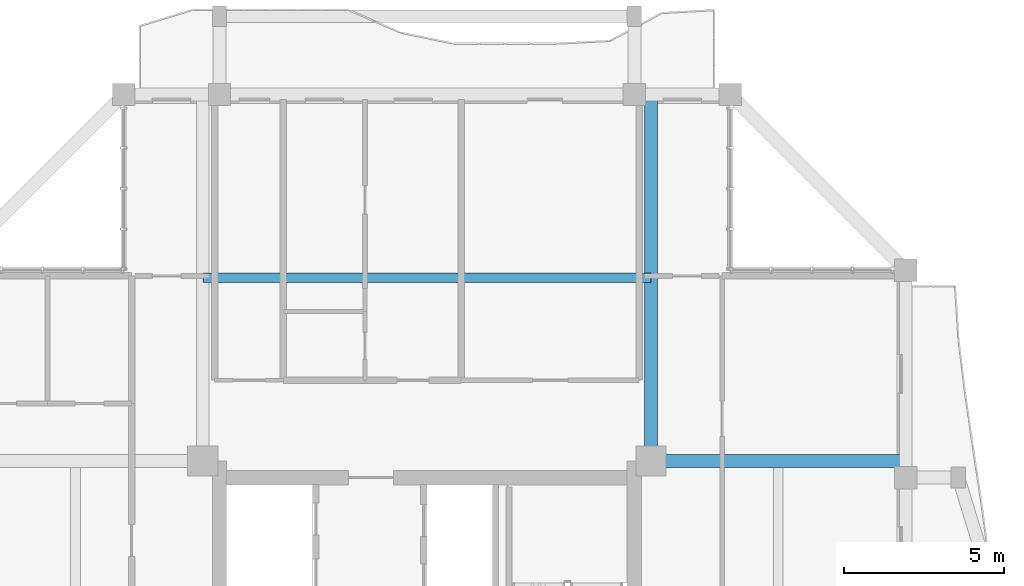
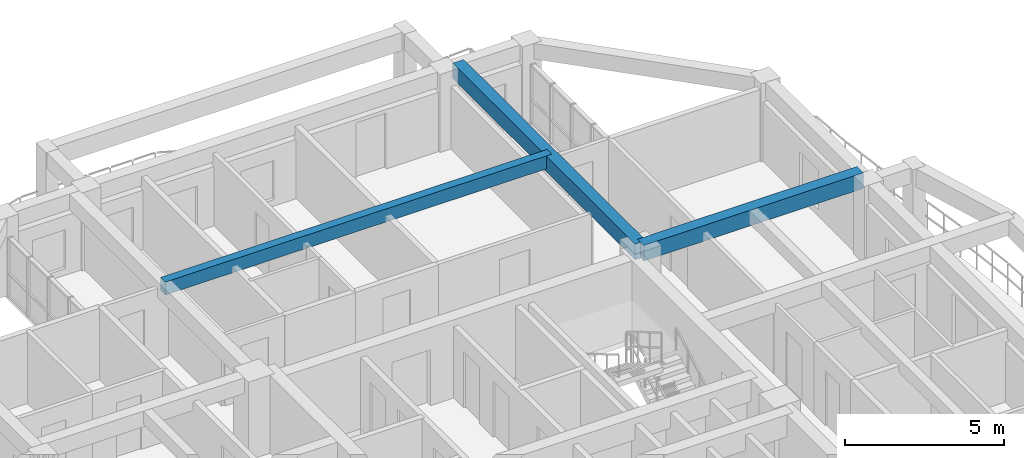
# One storey, part 9 of 24: 3 beams.
"""IFC4 building model written with IfcOpenShell, lengths in metres."""

from ifc_helpers import new_model, si_unit, direction, frame, origin, origin_2d, place, context, subcontext, project, spatial, rectangle, extrude, source, transform, mapped, material, material_profile, profile_set, type_object, element, save


model = new_model("IFC4")

# Units and contexts
model_context = context("Model", 3, precision=1e-05, world=origin(), true_north=direction((0.0, 1.0)))
body_context = subcontext(model_context, "Body", "Model", "MODEL_VIEW")
ifc_project = project(units=[si_unit("LENGTHUNIT", "METRE"), si_unit("AREAUNIT", "SQUARE_METRE"), si_unit("VOLUMEUNIT", "CUBIC_METRE"), si_unit("PLANEANGLEUNIT", "RADIAN"), si_unit("MASSUNIT", "GRAM", prefix="KILO")], contexts=[model_context])

# Site, building, storey
site_placement = place(None, origin())
site = spatial("IfcSite", under=ifc_project, at=site_placement, CompositionType="ELEMENT")
building_placement = place(site_placement, origin())
building = spatial("IfcBuilding", under=site, at=building_placement, Name="Saelheon Loggia Tower", CompositionType="ELEMENT")
storey_placement = place(building_placement, frame((0.0, 0.0, 246.0)))
storey = spatial("IfcBuildingStorey", under=building, at=storey_placement, Name="L76", CompositionType="ELEMENT", Elevation=246.0)

# Beams
ifc_material = material(Name="Concrete C40/50", Category="concrete")
ifc_material_profile_1 = material_profile(ifc_material, rectangle(XDim=0.300048828125, YDim=0.5, at=origin_2d()), Name="RC-300x500")
ifc_profile_set_1 = profile_set([ifc_material_profile_1], Name="Concrete C40/50")
beam_type_1 = type_object("IfcBeamType", Name="Beam_Joist_RC300x500", PredefinedType="JOIST", material=ifc_profile_set_1)
shared_shape_1 = source(origin(), body_context, "Body", "SweptSolid", [
    extrude(rectangle(XDim=0.300048828125, YDim=0.5, at=origin_2d()), origin(), (0.0, 0.0, 1.0), 14.0400390625),
])
beam_1_placement = place(storey_placement, frame((30.97998046875, 42.260009765625, 2.75), z_axis=(1.0, 0.0, 0.0), x_axis=(0.0, 1.0, 0.0)))
element("IfcBeam", 1, at=beam_1_placement, inside=storey, type_object=beam_type_1, Name="L76 North Floor Joist", PredefinedType="JOIST", context=body_context, shape_type="MappedRepresentation", body=[
    mapped(shared_shape_1, transform((0.0, 0.0, 0.0), scale=1.0)),
])
ifc_material_profile_2 = material_profile(ifc_material, rectangle(XDim=0.39990234375, YDim=0.60009765625, at=origin_2d()), Name="RC-400x600")
ifc_profile_set_2 = profile_set([ifc_material_profile_2], Name="Concrete C40/50")
beam_type_2 = type_object("IfcBeamType", Name="Beam_UpperGirder_RC400x600", PredefinedType="BEAM", material=ifc_profile_set_2)
shared_shape_2 = source(origin(), body_context, "Body", "SweptSolid", [
    extrude(rectangle(XDim=0.39990234375, YDim=0.60009765625, at=origin_2d()), origin(), (0.0, 0.0, 1.0), 11.47998046875),
])
beam_2_placement = place(storey_placement, frame((45.02001953125, 36.52001953125, 2.699951171875), z_axis=(0.0, 1.0, 0.0), x_axis=(-1.0, 0.0, 0.0)))
element("IfcBeam", 2, at=beam_2_placement, inside=storey, type_object=beam_type_2, Name="L76 Radial Floor Girder RAD-NE-N", PredefinedType="BEAM", context=body_context, shape_type="MappedRepresentation", body=[
    mapped(shared_shape_2, transform((0.0, 0.0, 0.0), scale=1.0)),
])
shared_shape_3 = source(origin(), body_context, "Body", "SweptSolid", [
    extrude(rectangle(XDim=0.39990234375, YDim=0.60009765625, at=origin_2d()), origin(), (0.0, 0.0, 1.0), 7.97998046875),
])
beam_3_placement = place(storey_placement, frame((45.02001953125, 36.52001953125, 2.699951171875), z_axis=(1.0, 0.0, 0.0), x_axis=(0.0, 1.0, 0.0)))
element("IfcBeam", 3, at=beam_3_placement, inside=storey, type_object=beam_type_2, Name="L76 Radial Floor Girder RAD-NE-E", PredefinedType="BEAM", context=body_context, shape_type="MappedRepresentation", body=[
    mapped(shared_shape_3, transform((0.0, 0.0, 0.0), scale=1.0)),
])

save(model, "model.ifc")
